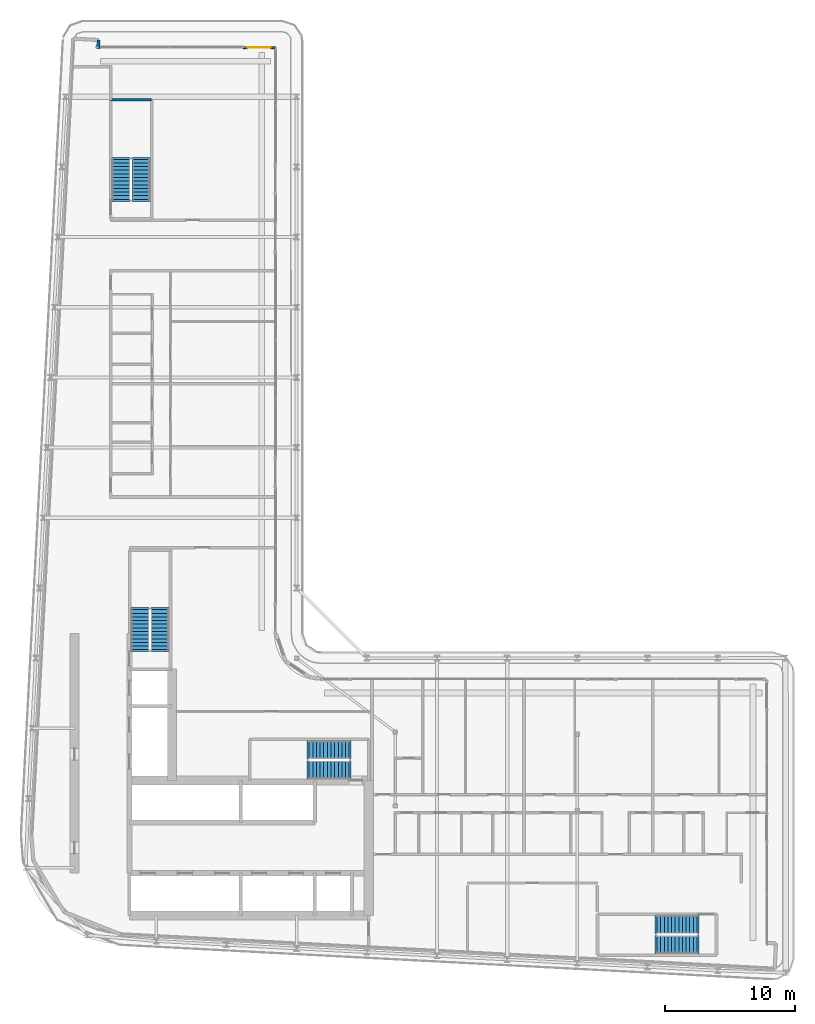
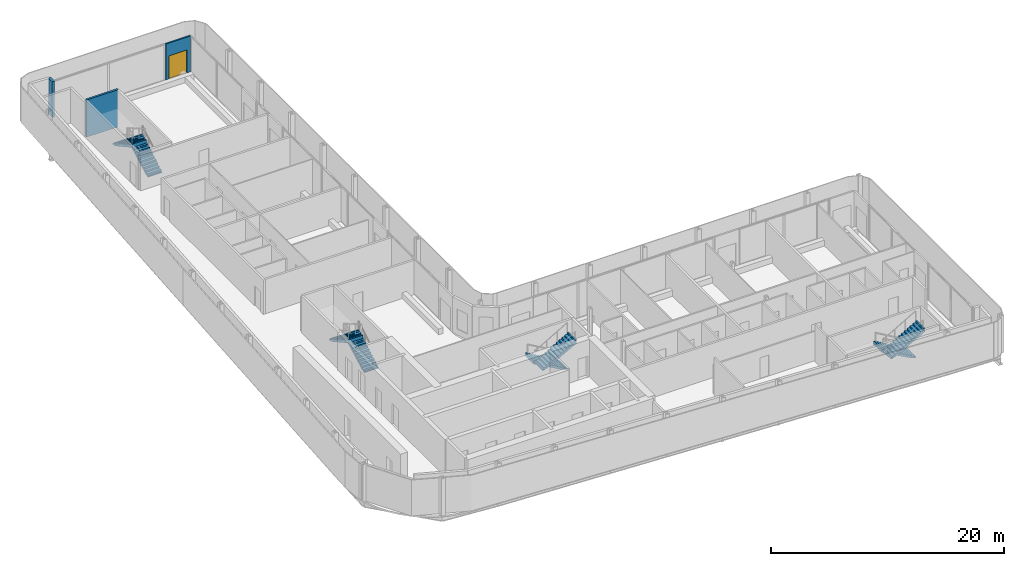
# One storey, part 14 of 21: 8 stair flights, 3 walls, 1 door, 1 opening, 4 elements without a shape of their own.
"""IFC4 building model written with IfcOpenShell, lengths in metres."""

from ifc_helpers import new_model, si_unit, direction, frame, frame_2d, origin, place, context, subcontext, project, spatial, polyline, rectangle, outline, extrude, source, transform, mapped, material, layer, layer_set, type_object, element, fill, aggregate, save


model = new_model("IFC4")

# Units and contexts
model_context = context("Model", 3, precision=1e-05, world=origin(), true_north=direction((0.0, 1.0)))
body_context = subcontext(model_context, "Body", "Model", "MODEL_VIEW")
ifc_project = project(units=[si_unit("LENGTHUNIT", "METRE"), si_unit("AREAUNIT", "SQUARE_METRE"), si_unit("VOLUMEUNIT", "CUBIC_METRE"), si_unit("PLANEANGLEUNIT", "RADIAN"), si_unit("MASSUNIT", "GRAM", prefix="KILO")], contexts=[model_context])

# Site, building, storey
site_placement = place(None, origin())
site = spatial("IfcSite", under=ifc_project, at=site_placement, CompositionType="ELEMENT")
building_placement = place(site_placement, origin())
building = spatial("IfcBuilding", under=site, at=building_placement, Name="Kheshtan School and Residences Tower", CompositionType="ELEMENT")
storey_placement = place(building_placement, frame((0.0, 0.0, 235.699951171875)))
storey = spatial("IfcBuildingStorey", under=building, at=storey_placement, Name="L55", CompositionType="ELEMENT", Elevation=235.699951171875)

# Wall
ifc_material_1 = material(Name="Concrete C40/50 with ceramic cladding and mineral wool insulation", Category="concrete")
ifc_layer_1 = layer(ifc_material_1, 0.25)
ifc_layer_set_1 = layer_set([ifc_layer_1], Name="External wall 250 ceramic clad")
wall_type_1 = type_object("IfcWallType", Name="External wall 250 ceramic clad", PredefinedType="SOLIDWALL", material=ifc_layer_set_1)
wall_1_placement = place(storey_placement, frame((32.368896484375, 93.159912109375, 0.0), z_axis=(0.0, 0.0, 1.0), x_axis=(-0.053729014033, -0.998555553312, 0.0)))
element("IfcWall", 1, at=wall_1_placement, inside=storey, type_object=wall_type_1, Name="External wall L55 2", PredefinedType="SOLIDWALL", context=body_context, shape_type="SweptSolid", body=[
    extrude(rectangle(XDim=0.66796875, YDim=0.25, at=frame_2d((0.333984375, 0.0))), origin(), (0.0, 0.0, 1.0), 3.75),
])

# Wall, opening, door
ifc_material_2 = material(Name="Aluminium frame wall with insulated infill", Category="aluminium")
ifc_layer_2 = layer(ifc_material_2, 0.14990234375)
ifc_layer_set_2 = layer_set([ifc_layer_2], Name="Glazing frame wall 150")
wall_type_2 = type_object("IfcWallType", Name="Glazing frame wall 150", PredefinedType="SOLIDWALL", material=ifc_layer_set_2)
wall_2_placement = place(storey_placement, frame((43.5, 92.574951171875, 0.0), z_axis=(0.0, 0.0, 1.0), x_axis=(1.0, 0.0, 0.0)))
wall_2 = element("IfcWall", 2, at=wall_2_placement, inside=storey, type_object=wall_type_2, Name="Balcony door wall L55 3.1", PredefinedType="SOLIDWALL", context=body_context, shape_type="SweptSolid", body=[
    extrude(rectangle(XDim=2.470947265625, YDim=0.14990234375, at=frame_2d((1.2353515625, 0.0))), origin(), (0.0, 0.0, 1.0), 3.75),
])
opening_placement = place(wall_2_placement, frame((0.300048828125, 0.0, 0.0)))
opening = element("IfcOpeningElement", 3, at=opening_placement, cuts=wall_2, Name="Opening BD", PredefinedType="OPENING", context=body_context, shape_type="SweptSolid", body=[
    extrude(rectangle(XDim=1.800048828125, YDim=2.39990234375, at=frame_2d((0.89990234375, 1.199951171875))), frame((0.0, 0.0849609375, 0.0), z_axis=(0.0, -1.0, 0.0), x_axis=(1.0, 0.0, 0.0)), (0.0, 0.0, 1.0), 0.169921875),
])
ifc_material_3 = material(Name="Clear low-e glass in thermally broken aluminium frame", Category="aluminium")
door_type = type_object("IfcDoorType", Name="Balcony sliding door", OperationType="SLIDING_TO_LEFT", PredefinedType="DOOR", material=ifc_material_3)
shared_shape = source(origin(), body_context, "Body", "SweptSolid", [
    extrude(rectangle(XDim=1.800048828125, YDim=2.39990234375, at=frame_2d((0.89990234375, 1.199951171875))), frame((0.0, 0.02490234375, 0.0), z_axis=(0.0, -1.0, 0.0), x_axis=(1.0, 0.0, 0.0)), (0.0, 0.0, 1.0), 0.050048828125),
])
door_placement = place(opening_placement, origin())
door = element("IfcDoor", 4, at=door_placement, inside=storey, type_object=door_type, Name="Balcony door L55 3.1", OperationType="SLIDING_TO_LEFT", OverallHeight=2.39990234375, OverallWidth=1.800048828125, PredefinedType="DOOR", context=body_context, shape_type="MappedRepresentation", body=[
    mapped(shared_shape, transform((0.0, 0.0, 0.0), x_axis=(1.0, 0.0, 0.0), y_axis=(0.0, 1.0, 0.0), z_axis=(0.0, 0.0, 1.0), scale=1.0)),
])
fill(opening, door)

# Wall
ifc_material_4 = material(Name="Concrete C40/50", Category="concrete")
ifc_layer_3 = layer(ifc_material_4, 0.199951171875)
ifc_layer_set_3 = layer_set([ifc_layer_3], Name="Stair enclosure wall 200 Concrete C40/50")
wall_type_3 = type_object("IfcWallType", Name="Stair enclosure wall 200 Concrete C40/50", PredefinedType="SHEAR", material=ifc_layer_set_3)
wall_3_placement = place(storey_placement, frame((33.300048828125, 88.56005859375, 0.0), z_axis=(0.0, 0.0, 1.0), x_axis=(1.0, 0.0, 0.0)))
element("IfcWall", 5, at=wall_3_placement, inside=storey, type_object=wall_type_3, Name="Stair enclosure wall ST3", PredefinedType="SHEAR", context=body_context, shape_type="SweptSolid", body=[
    extrude(rectangle(XDim=3.14990234375, YDim=0.199951171875, at=frame_2d((1.574951171875, 0.0))), origin(), (0.0, 0.0, 1.0), 3.900146484375),
])

# Stair, stair flights
stair_type = type_object("IfcStairType", Name="Exit stair, half-turn", PredefinedType="HALF_TURN_STAIR", material=ifc_material_4)
stair_1_placement = place(storey_placement, origin())
stair_1 = element("IfcStair", 6, at=stair_1_placement, inside=storey, type_object=stair_type, Name="L55 Protected Exit Stair ST1", PredefinedType="HALF_TURN_STAIR")
ifc_layer_4 = layer(ifc_material_4, 0.14990234375)
ifc_layer_set_4 = layer_set([ifc_layer_4], Name="Stair flight 1400 Concrete C40/50")
stair_flight_type = type_object("IfcStairFlightType", Name="Stair flight 1400 Concrete C40/50", PredefinedType="STRAIGHT", material=ifc_layer_set_4)
stair_flight_1_placement = place(storey_placement, frame((51.64990234375, 38.550048828125, 0.0), z_axis=(0.0, 0.0, 1.0), x_axis=(-1.0, 0.0, 0.0)))
stair_flight_1 = element("IfcStairFlight", 7, at=stair_flight_1_placement, type_object=stair_flight_type, Name="ST1 flight 1", NumberOfRisers=12, NumberOfTreads=11, PredefinedType="STRAIGHT", RiserHeight=0.1625, TreadLength=0.28, context=body_context, shape_type="SweptSolid", body=[
    extrude(outline(polyline([(-0.14990234375, -0.10009765625), (-0.14990234375, 0.0), (0.0, 0.0), (0.0, 0.16259765625), (0.280029296875, 0.16259765625), (0.280029296875, 0.324951171875), (0.56005859375, 0.324951171875), (0.56005859375, 0.487548828125), (0.840087890625, 0.487548828125), (0.840087890625, 0.64990234375), (1.1201171875, 0.64990234375), (1.1201171875, 0.8125), (1.39990234375, 0.8125), (1.39990234375, 0.97509765625), (1.679931640625, 0.97509765625), (1.679931640625, 1.137451171875), (1.9599609375, 1.137451171875), (1.9599609375, 1.300048828125), (2.239990234375, 1.300048828125), (2.239990234375, 1.46240234375), (2.52001953125, 1.46240234375), (2.52001953125, 1.625), (2.800048828125, 1.625), (2.800048828125, 1.78759765625), (3.080078125, 1.78759765625), (3.080078125, 1.949951171875), (3.080078125, 1.969970703125), (3.22998046875, 1.969970703125), (3.22998046875, 1.6142578125), (0.298583984375, 0.0), (-0.14990234375, -0.10009765625)])), frame((0.0, 0.699951171875, 0.0), z_axis=(0.0, -1.0, 0.0), x_axis=(1.0, 0.0, 0.0)), (0.0, 0.0, 1.0), 1.39990234375),
])
stair_flight_2_placement = place(storey_placement, frame((48.570068359375, 37.0, 1.949951171875), z_axis=(0.0, 0.0, 1.0), x_axis=(1.0, 0.0, 0.0)))
stair_flight_2 = element("IfcStairFlight", 8, at=stair_flight_2_placement, type_object=stair_flight_type, Name="ST1 flight 2", NumberOfRisers=12, NumberOfTreads=11, PredefinedType="STRAIGHT", RiserHeight=0.1625, TreadLength=0.28, context=body_context, shape_type="SweptSolid", body=[
    extrude(outline(polyline([(-0.14990234375, -0.10009765625), (-0.14990234375, 0.0), (0.0, 0.0), (0.0, 0.16259765625), (0.280029296875, 0.16259765625), (0.280029296875, 0.324951171875), (0.56005859375, 0.324951171875), (0.56005859375, 0.487548828125), (0.840087890625, 0.487548828125), (0.840087890625, 0.64990234375), (1.1201171875, 0.64990234375), (1.1201171875, 0.8125), (1.39990234375, 0.8125), (1.39990234375, 0.97509765625), (1.679931640625, 0.97509765625), (1.679931640625, 1.137451171875), (1.9599609375, 1.137451171875), (1.9599609375, 1.300048828125), (2.239990234375, 1.300048828125), (2.239990234375, 1.46240234375), (2.52001953125, 1.46240234375), (2.52001953125, 1.625), (2.800048828125, 1.625), (2.800048828125, 1.78759765625), (3.080078125, 1.78759765625), (3.080078125, 1.949951171875), (3.080078125, 1.969970703125), (3.22998046875, 1.969970703125), (3.22998046875, 1.6142578125), (0.298583984375, 0.0), (-0.14990234375, -0.10009765625)])), frame((0.0, 0.699951171875, 0.0), z_axis=(0.0, -1.0, 0.0), x_axis=(1.0, 0.0, 0.0)), (0.0, 0.0, 1.0), 1.39990234375),
])
aggregate(stair_1, [stair_flight_1, stair_flight_2])

stair_2_placement = place(storey_placement, origin())
stair_2 = element("IfcStair", 9, at=stair_2_placement, inside=storey, type_object=stair_type, Name="L55 Protected Exit Stair ST2", PredefinedType="HALF_TURN_STAIR")
stair_flight_3_placement = place(storey_placement, frame((37.10009765625, 46.25, 0.0), z_axis=(0.0, 0.0, 1.0), x_axis=(0.0, 1.0, 0.0)))
stair_flight_3 = element("IfcStairFlight", 10, at=stair_flight_3_placement, type_object=stair_flight_type, Name="ST2 flight 1", NumberOfRisers=12, NumberOfTreads=11, PredefinedType="STRAIGHT", RiserHeight=0.1625, TreadLength=0.28, context=body_context, shape_type="SweptSolid", body=[
    extrude(outline(polyline([(-0.14990234375, -0.10009765625), (-0.14990234375, 0.0), (0.0, 0.0), (0.0, 0.16259765625), (0.280029296875, 0.16259765625), (0.280029296875, 0.324951171875), (0.56005859375, 0.324951171875), (0.56005859375, 0.487548828125), (0.840087890625, 0.487548828125), (0.840087890625, 0.64990234375), (1.1201171875, 0.64990234375), (1.1201171875, 0.8125), (1.39990234375, 0.8125), (1.39990234375, 0.97509765625), (1.679931640625, 0.97509765625), (1.679931640625, 1.137451171875), (1.9599609375, 1.137451171875), (1.9599609375, 1.300048828125), (2.239990234375, 1.300048828125), (2.239990234375, 1.46240234375), (2.52001953125, 1.46240234375), (2.52001953125, 1.625), (2.800048828125, 1.625), (2.800048828125, 1.78759765625), (3.080078125, 1.78759765625), (3.080078125, 1.949951171875), (3.080078125, 1.969970703125), (3.22998046875, 1.969970703125), (3.22998046875, 1.6142578125), (0.298583984375, 0.0), (-0.14990234375, -0.10009765625)])), frame((0.0, 0.699951171875, 0.0), z_axis=(0.0, -1.0, 0.0), x_axis=(1.0, 0.0, 0.0)), (0.0, 0.0, 1.0), 1.39990234375),
])
stair_flight_4_placement = place(storey_placement, frame((35.550048828125, 49.330078125, 1.949951171875), z_axis=(0.0, 0.0, 1.0), x_axis=(0.0, -1.0, 0.0)))
stair_flight_4 = element("IfcStairFlight", 11, at=stair_flight_4_placement, type_object=stair_flight_type, Name="ST2 flight 2", NumberOfRisers=12, NumberOfTreads=11, PredefinedType="STRAIGHT", RiserHeight=0.1625, TreadLength=0.28, context=body_context, shape_type="SweptSolid", body=[
    extrude(outline(polyline([(-0.14990234375, -0.10009765625), (-0.14990234375, 0.0), (0.0, 0.0), (0.0, 0.16259765625), (0.280029296875, 0.16259765625), (0.280029296875, 0.324951171875), (0.56005859375, 0.324951171875), (0.56005859375, 0.487548828125), (0.840087890625, 0.487548828125), (0.840087890625, 0.64990234375), (1.1201171875, 0.64990234375), (1.1201171875, 0.8125), (1.39990234375, 0.8125), (1.39990234375, 0.97509765625), (1.679931640625, 0.97509765625), (1.679931640625, 1.137451171875), (1.9599609375, 1.137451171875), (1.9599609375, 1.300048828125), (2.239990234375, 1.300048828125), (2.239990234375, 1.46240234375), (2.52001953125, 1.46240234375), (2.52001953125, 1.625), (2.800048828125, 1.625), (2.800048828125, 1.78759765625), (3.080078125, 1.78759765625), (3.080078125, 1.949951171875), (3.080078125, 1.969970703125), (3.22998046875, 1.969970703125), (3.22998046875, 1.6142578125), (0.298583984375, 0.0), (-0.14990234375, -0.10009765625)])), frame((0.0, 0.699951171875, 0.0), z_axis=(0.0, -1.0, 0.0), x_axis=(1.0, 0.0, 0.0)), (0.0, 0.0, 1.0), 1.39990234375),
])
aggregate(stair_2, [stair_flight_3, stair_flight_4])

stair_3_placement = place(storey_placement, origin())
stair_3 = element("IfcStair", 12, at=stair_3_placement, inside=storey, type_object=stair_type, Name="L55 Protected Exit Stair ST3", PredefinedType="HALF_TURN_STAIR")
stair_flight_5_placement = place(storey_placement, frame((35.64990234375, 80.89990234375, 0.0), z_axis=(0.0, 0.0, 1.0), x_axis=(0.0, 1.0, 0.0)))
stair_flight_5 = element("IfcStairFlight", 13, at=stair_flight_5_placement, type_object=stair_flight_type, Name="ST3 flight 1", NumberOfRisers=12, NumberOfTreads=11, PredefinedType="STRAIGHT", RiserHeight=0.1625, TreadLength=0.28, context=body_context, shape_type="SweptSolid", body=[
    extrude(outline(polyline([(-0.14990234375, -0.10009765625), (-0.14990234375, 0.0), (0.0, 0.0), (0.0, 0.16259765625), (0.280029296875, 0.16259765625), (0.280029296875, 0.324951171875), (0.56005859375, 0.324951171875), (0.56005859375, 0.487548828125), (0.840087890625, 0.487548828125), (0.840087890625, 0.64990234375), (1.1201171875, 0.64990234375), (1.1201171875, 0.8125), (1.39990234375, 0.8125), (1.39990234375, 0.97509765625), (1.679931640625, 0.97509765625), (1.679931640625, 1.137451171875), (1.9599609375, 1.137451171875), (1.9599609375, 1.300048828125), (2.239990234375, 1.300048828125), (2.239990234375, 1.46240234375), (2.52001953125, 1.46240234375), (2.52001953125, 1.625), (2.800048828125, 1.625), (2.800048828125, 1.78759765625), (3.080078125, 1.78759765625), (3.080078125, 1.949951171875), (3.080078125, 1.969970703125), (3.22998046875, 1.969970703125), (3.22998046875, 1.6142578125), (0.298583984375, 0.0), (-0.14990234375, -0.10009765625)])), frame((0.0, 0.699951171875, 0.0), z_axis=(0.0, -1.0, 0.0), x_axis=(1.0, 0.0, 0.0)), (0.0, 0.0, 1.0), 1.39990234375),
])
stair_flight_6_placement = place(storey_placement, frame((34.10009765625, 83.97998046875, 1.949951171875), z_axis=(0.0, 0.0, 1.0), x_axis=(0.0, -1.0, 0.0)))
stair_flight_6 = element("IfcStairFlight", 14, at=stair_flight_6_placement, type_object=stair_flight_type, Name="ST3 flight 2", NumberOfRisers=12, NumberOfTreads=11, PredefinedType="STRAIGHT", RiserHeight=0.1625, TreadLength=0.28, context=body_context, shape_type="SweptSolid", body=[
    extrude(outline(polyline([(-0.14990234375, -0.10009765625), (-0.14990234375, 0.0), (0.0, 0.0), (0.0, 0.16259765625), (0.280029296875, 0.16259765625), (0.280029296875, 0.324951171875), (0.56005859375, 0.324951171875), (0.56005859375, 0.487548828125), (0.840087890625, 0.487548828125), (0.840087890625, 0.64990234375), (1.1201171875, 0.64990234375), (1.1201171875, 0.8125), (1.39990234375, 0.8125), (1.39990234375, 0.97509765625), (1.679931640625, 0.97509765625), (1.679931640625, 1.137451171875), (1.9599609375, 1.137451171875), (1.9599609375, 1.300048828125), (2.239990234375, 1.300048828125), (2.239990234375, 1.46240234375), (2.52001953125, 1.46240234375), (2.52001953125, 1.625), (2.800048828125, 1.625), (2.800048828125, 1.78759765625), (3.080078125, 1.78759765625), (3.080078125, 1.949951171875), (3.080078125, 1.969970703125), (3.22998046875, 1.969970703125), (3.22998046875, 1.6142578125), (0.298583984375, 0.0), (-0.14990234375, -0.10009765625)])), frame((0.0, 0.699951171875, 0.0), z_axis=(0.0, -1.0, 0.0), x_axis=(1.0, 0.0, 0.0)), (0.0, 0.0, 1.0), 1.39990234375),
])
aggregate(stair_3, [stair_flight_5, stair_flight_6])

stair_4_placement = place(storey_placement, origin())
stair_4 = element("IfcStair", 15, at=stair_4_placement, inside=storey, type_object=stair_type, Name="L55 Protected Exit Stair ST5", PredefinedType="HALF_TURN_STAIR")
stair_flight_7_placement = place(storey_placement, frame((78.409912109375, 25.10009765625, 0.0), z_axis=(0.0, 0.0, 1.0), x_axis=(-1.0, 0.0, 0.0)))
stair_flight_7 = element("IfcStairFlight", 16, at=stair_flight_7_placement, type_object=stair_flight_type, Name="ST5 flight 1", NumberOfRisers=12, NumberOfTreads=11, PredefinedType="STRAIGHT", RiserHeight=0.1625, TreadLength=0.28, context=body_context, shape_type="SweptSolid", body=[
    extrude(outline(polyline([(-0.14990234375, -0.10009765625), (-0.14990234375, 0.0), (0.0, 0.0), (0.0, 0.16259765625), (0.280029296875, 0.16259765625), (0.280029296875, 0.324951171875), (0.56005859375, 0.324951171875), (0.56005859375, 0.487548828125), (0.840087890625, 0.487548828125), (0.840087890625, 0.64990234375), (1.1201171875, 0.64990234375), (1.1201171875, 0.8125), (1.39990234375, 0.8125), (1.39990234375, 0.97509765625), (1.679931640625, 0.97509765625), (1.679931640625, 1.137451171875), (1.9599609375, 1.137451171875), (1.9599609375, 1.300048828125), (2.239990234375, 1.300048828125), (2.239990234375, 1.46240234375), (2.52001953125, 1.46240234375), (2.52001953125, 1.625), (2.800048828125, 1.625), (2.800048828125, 1.78759765625), (3.080078125, 1.78759765625), (3.080078125, 1.949951171875), (3.080078125, 1.969970703125), (3.22998046875, 1.969970703125), (3.22998046875, 1.6142578125), (0.298583984375, 0.0), (-0.14990234375, -0.10009765625)])), frame((0.0, 0.699951171875, 0.0), z_axis=(0.0, -1.0, 0.0), x_axis=(1.0, 0.0, 0.0)), (0.0, 0.0, 1.0), 1.39990234375),
])
stair_flight_8_placement = place(storey_placement, frame((75.330078125, 23.550048828125, 1.949951171875), z_axis=(0.0, 0.0, 1.0), x_axis=(1.0, 0.0, 0.0)))
stair_flight_8 = element("IfcStairFlight", 17, at=stair_flight_8_placement, type_object=stair_flight_type, Name="ST5 flight 2", NumberOfRisers=12, NumberOfTreads=11, PredefinedType="STRAIGHT", RiserHeight=0.1625, TreadLength=0.28, context=body_context, shape_type="SweptSolid", body=[
    extrude(outline(polyline([(-0.14990234375, -0.10009765625), (-0.14990234375, 0.0), (0.0, 0.0), (0.0, 0.16259765625), (0.280029296875, 0.16259765625), (0.280029296875, 0.324951171875), (0.56005859375, 0.324951171875), (0.56005859375, 0.487548828125), (0.840087890625, 0.487548828125), (0.840087890625, 0.64990234375), (1.1201171875, 0.64990234375), (1.1201171875, 0.8125), (1.39990234375, 0.8125), (1.39990234375, 0.97509765625), (1.679931640625, 0.97509765625), (1.679931640625, 1.137451171875), (1.9599609375, 1.137451171875), (1.9599609375, 1.300048828125), (2.239990234375, 1.300048828125), (2.239990234375, 1.46240234375), (2.52001953125, 1.46240234375), (2.52001953125, 1.625), (2.800048828125, 1.625), (2.800048828125, 1.78759765625), (3.080078125, 1.78759765625), (3.080078125, 1.949951171875), (3.080078125, 1.969970703125), (3.22998046875, 1.969970703125), (3.22998046875, 1.6142578125), (0.298583984375, 0.0), (-0.14990234375, -0.10009765625)])), frame((0.0, 0.699951171875, 0.0), z_axis=(0.0, -1.0, 0.0), x_axis=(1.0, 0.0, 0.0)), (0.0, 0.0, 1.0), 1.39990234375),
])
aggregate(stair_4, [stair_flight_7, stair_flight_8])

save(model, "model.ifc")
